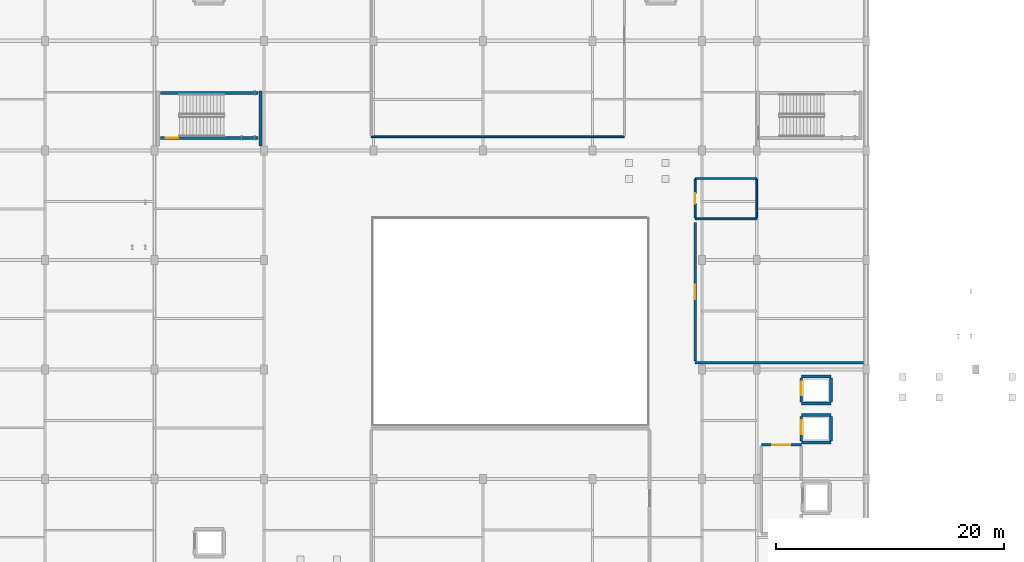
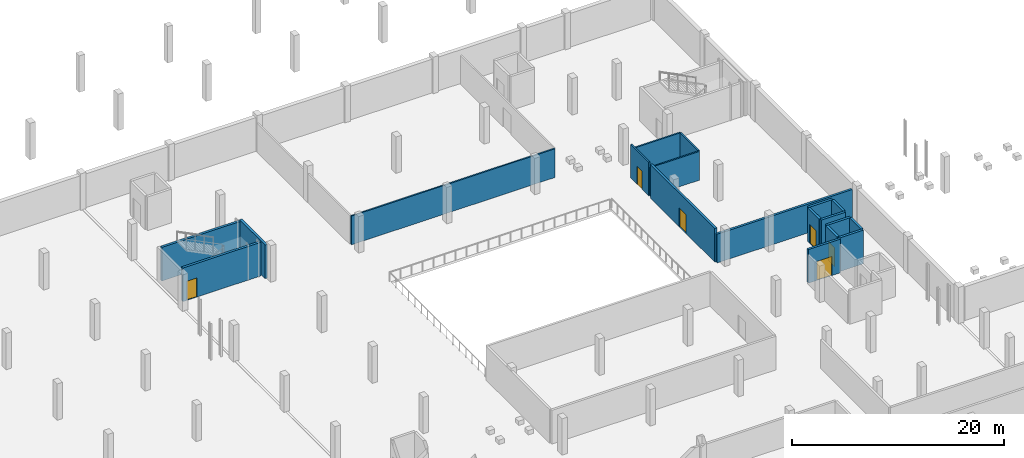
# One storey, part 33 of 47: 19 walls, 6 doors, 6 openings.
"""IFC4 building model written with IfcOpenShell, lengths in metres."""

import ifcopenshell
import ifcopenshell.guid

model = None  # the IFC model being written
_history = None  # IfcOwnerHistory: only IFC2X3 demands one
_inside = {}  # id of a spatial element -> (the spatial element, [elements in it])
_under = {}  # id of a project, library or spatial element -> (it, [spatial elements below it])
_declared = {}  # id of a project -> (the project, [libraries it declares])
_typed = {}  # id of a type object -> (the type object, [elements of that type])
_made_of = {}  # id of a material, layer set ... -> (it, [elements and type objects made of it])


def new_model(schema):
    """Start an empty IFC model of exactly this schema.

    Asked for "IFC4X3", IfcOpenShell would pick the latest addendum, in which some entities
    have other attributes; the version numbers below select the first issue.
    IFC2X3 requires an IfcOwnerHistory on every rooted entity: one is made here for all.
    """
    global model, _history
    if schema == "IFC4X3":
        model = ifcopenshell.file(schema_version=(4, 3, 0, 0))
    else:
        model = ifcopenshell.file(schema=schema)
    _inside.clear()
    _under.clear()
    _declared.clear()
    _typed.clear()
    _made_of.clear()
    _history = None
    if model.schema == "IFC2X3":
        org = make("IfcOrganization", Name="unknown")
        user = make(
            "IfcPersonAndOrganization",
            ThePerson=make("IfcPerson", FamilyName="unknown"),
            TheOrganization=org,
        )
        app = make(
            "IfcApplication",
            ApplicationDeveloper=org,
            Version="unknown",
            ApplicationFullName="unknown",
            ApplicationIdentifier="unknown",
        )
        _history = make(
            "IfcOwnerHistory",
            OwningUser=user,
            OwningApplication=app,
            ChangeAction="ADDED",
            CreationDate=0,
        )
    return model


def make(cls, **values):
    """One entity of the class cls with the attributes given. An attribute that is None is left unset."""
    return model.create_entity(
        cls, **{name: value for name, value in values.items() if value is not None}
    )


def rooted(cls, **values):
    """An entity with a GlobalId (a new one), such as an element, a storey or a relation."""
    return make(cls, GlobalId=ifcopenshell.guid.new(), OwnerHistory=_history, **values)


def si_unit(unit_type, name, prefix=None):
    """IfcSIUnit, for example si_unit("LENGTHUNIT", "METRE", prefix="MILLI")."""
    return make("IfcSIUnit", UnitType=unit_type, Prefix=prefix, Name=name)


def assignment(units):
    """IfcUnitAssignment: the units of a project."""
    return None if units is None else make("IfcUnitAssignment", Units=units)


def point(xyz):
    """IfcCartesianPoint."""
    return None if xyz is None else make("IfcCartesianPoint", Coordinates=xyz)


def direction(xyz):
    """IfcDirection."""
    return None if xyz is None else make("IfcDirection", DirectionRatios=xyz)


def frame(location, z_axis=None, x_axis=None):
    """IfcAxis2Placement3D, a coordinate frame: its origin and axes. An axis left out is left unset."""
    return make(
        "IfcAxis2Placement3D",
        Location=point(location),
        Axis=direction(z_axis),
        RefDirection=direction(x_axis),
    )


def frame_2d(location, x_axis=None):
    """IfcAxis2Placement2D, a coordinate frame in the plane: its origin and x axis."""
    return make(
        "IfcAxis2Placement2D", Location=point(location), RefDirection=direction(x_axis)
    )


def origin():
    """The frame at (0, 0, 0) with its axes left unset."""
    return frame((0.0, 0.0, 0.0))


def place(relative_to, where):
    """IfcLocalPlacement: puts the frame where relative to a parent placement (None: the world)."""
    return make(
        "IfcLocalPlacement", PlacementRelTo=relative_to, RelativePlacement=where
    )


def context(
    kind, dimensions, precision=None, world=None, true_north=None, identifier=None
):
    """IfcGeometricRepresentationContext, for example the 3D "Model" context."""
    return make(
        "IfcGeometricRepresentationContext",
        ContextIdentifier=identifier,
        ContextType=kind,
        CoordinateSpaceDimension=dimensions,
        Precision=precision,
        WorldCoordinateSystem=world,
        TrueNorth=true_north,
    )


def subcontext(parent, identifier, kind, view, scale=None):
    """IfcGeometricRepresentationSubContext, for example "Body" below "Model"."""
    return make(
        "IfcGeometricRepresentationSubContext",
        ContextIdentifier=identifier,
        ContextType=kind,
        ParentContext=parent,
        TargetScale=scale,
        TargetView=view,
    )


def project(units=None, contexts=None):
    """IfcProject with its units and contexts."""
    return rooted(
        "IfcProject",
        Name="project",
        RepresentationContexts=contexts,
        UnitsInContext=assignment(units),
    )


def spatial(cls, under=None, at=None, **own):
    """A site, building, storey or space (cls), placed at a placement, below another one or the project."""
    s = rooted(cls, ObjectPlacement=at, **own)
    if under is not None:
        _under.setdefault(under.id(), (under, []))[1].append(s)
    return s


def profile(cls, at=None, kind="AREA", **sizes):
    """A parametric profile (cls). Its sizes go by their IFC names, for example OverallWidth=200.0."""
    return make(cls, ProfileType=kind, Position=at, **sizes)


def rectangle(**sizes):
    """IfcRectangleProfileDef."""
    return profile("IfcRectangleProfileDef", **sizes)


def extrude(swept, where, along, depth):
    """IfcExtrudedAreaSolid: the profile swept, set in the frame where, extruded along a direction by depth."""
    return make(
        "IfcExtrudedAreaSolid",
        SweptArea=swept,
        Position=where,
        ExtrudedDirection=direction(along),
        Depth=depth,
    )


def shape(context_of_items, identifier, shape_type, items):
    """IfcShapeRepresentation: the items that make up one representation, for example the "Body"."""
    return make(
        "IfcShapeRepresentation",
        ContextOfItems=context_of_items,
        RepresentationIdentifier=identifier,
        RepresentationType=shape_type,
        Items=items,
    )


def material(Name=None, Category=None):
    """IfcMaterial."""
    return make("IfcMaterial", Name=Name, Category=Category)


def layer(
    of_material, thickness, ventilated=None, Name=None, Category=None, Priority=None
):
    """IfcMaterialLayer: one layer of a wall or slab, of a material (None: an air gap)."""
    return make(
        "IfcMaterialLayer",
        Material=of_material,
        LayerThickness=thickness,
        IsVentilated=ventilated,
        Name=Name,
        Category=Category,
        Priority=Priority,
    )


def layer_set(layers, Name=None):
    """IfcMaterialLayerSet."""
    return make("IfcMaterialLayerSet", MaterialLayers=layers, LayerSetName=Name)


def made_of(thing, what):
    """Note that an element or type object is made of a material, layer set ...; save() writes the relation."""
    if what is not None:
        _made_of.setdefault(what.id(), (what, []))[1].append(thing)
    return thing


def type_object(cls, material=None, **own):
    """A type object (cls), such as IfcWallType, which elements share."""
    return made_of(rooted(cls, **own), material)


def element(
    cls,
    number,
    at=None,
    inside=None,
    cuts=None,
    type_object=None,
    material=None,
    context=None,
    identifier="Body",
    shape_type=None,
    held_by="IfcProductDefinitionShape",
    body=None,
    shapes=None,
    **own,
):
    """One element of the class cls, such as IfcWall. Its Tag is "e" and its number.

    at: its placement. inside: the storey or other place that contains it. cuts: it is an
    opening in that element (IfcRelVoidsElement). A single representation is given by context,
    identifier, shape_type and body (its items); several are given by shapes. held_by: the class
    of the entity that holds the representations. save() writes the other relations.
    """
    e = rooted(cls, Tag="e%d" % number, ObjectPlacement=at, **own)
    if body is not None:
        shapes = [shape(context, identifier, shape_type, body)]
    if shapes is not None:
        e.Representation = make(held_by, Representations=shapes)
    if inside is not None:
        _inside.setdefault(inside.id(), (inside, []))[1].append(e)
    if cuts is not None:
        rooted(
            "IfcRelVoidsElement", RelatingBuildingElement=cuts, RelatedOpeningElement=e
        )
    if type_object is not None:
        _typed.setdefault(type_object.id(), (type_object, []))[1].append(e)
    return made_of(e, material)


def fill(opening, filler):
    """IfcRelFillsElement: the door or window that sits in an opening."""
    return rooted(
        "IfcRelFillsElement",
        RelatingOpeningElement=opening,
        RelatedBuildingElement=filler,
    )


def aggregate(whole, parts):
    """IfcRelAggregates: a whole, such as a stair, and the parts it consists of."""
    return rooted("IfcRelAggregates", RelatingObject=whole, RelatedObjects=parts)


def save(model, path):
    """Write the relations noted so far, then the file.

    IfcRelAggregates (storeys below a building ...), IfcRelContainedInSpatialStructure (elements
    in a storey), IfcRelDefinesByType, IfcRelAssociatesMaterial and IfcRelDeclares: one each for
    every whole, place, type object, material and project.
    """
    for whole, parts in _under.values():
        aggregate(whole, parts)
    for where, things in _inside.values():
        rooted(
            "IfcRelContainedInSpatialStructure",
            RelatedElements=things,
            RelatingStructure=where,
        )
    for kind, things in _typed.values():
        rooted("IfcRelDefinesByType", RelatedObjects=things, RelatingType=kind)
    for what, things in _made_of.values():
        rooted("IfcRelAssociatesMaterial", RelatedObjects=things, RelatingMaterial=what)
    for by, libraries in _declared.values():
        rooted("IfcRelDeclares", RelatingContext=by, RelatedDefinitions=libraries)
    model.write(path)


model = new_model("IFC4")

# Units and contexts
model_context = context("Model", 3, precision=1e-05, world=origin(), true_north=direction((0.0, 1.0)))
body_context = subcontext(model_context, "Body", "Model", "MODEL_VIEW")
ifc_project = project(units=[si_unit("LENGTHUNIT", "METRE"), si_unit("AREAUNIT", "SQUARE_METRE"), si_unit("VOLUMEUNIT", "CUBIC_METRE"), si_unit("PLANEANGLEUNIT", "RADIAN"), si_unit("MASSUNIT", "GRAM", prefix="KILO")], contexts=[model_context])

# Site, building, storey
site_placement = place(None, origin())
site = spatial("IfcSite", under=ifc_project, at=site_placement, CompositionType="ELEMENT")
building_placement = place(site_placement, origin())
building = spatial("IfcBuilding", under=site, at=building_placement, Name="Zevrakil Square Congress Hotel", CompositionType="ELEMENT")
storey_placement = place(building_placement, frame((0.0, 0.0, -4.199951171875)))
storey = spatial("IfcBuildingStorey", under=building, at=storey_placement, Name="B1", CompositionType="ELEMENT", Elevation=-4.199951171875)

# Wall, opening, door
ifc_material_1 = material(Name="Concrete C35/45", Category="concrete")
ifc_layer_1 = layer(ifc_material_1, 0.239990234375)
ifc_layer_set_1 = layer_set([ifc_layer_1], Name="Concrete C35/45")
wall_type_1 = type_object("IfcWallType", Name="WAL-COMP-240", PredefinedType="SOLIDWALL", material=ifc_layer_set_1)
wall_1_placement = place(storey_placement, frame((108.39990234375, 58.199951171875, 0.0), z_axis=(0.0, 0.0, 1.0), x_axis=(1.0, 0.0, 0.0)))
wall_1 = element("IfcWall", 1, at=wall_1_placement, inside=storey, type_object=wall_type_1, Name="B1 interior partition PW-B1-0028", PredefinedType="SOLIDWALL", context=body_context, shape_type="SweptSolid", body=[
    extrude(rectangle(XDim=3.5, YDim=0.239990234375, at=frame_2d((1.75, 0.0))), origin(), (0.0, 0.0, 1.0), 3.8798828125),
])
opening_1_placement = place(wall_1_placement, frame((0.949951171875, 0.0, 0.0)))
opening_1 = element("IfcOpeningElement", 2, at=opening_1_placement, cuts=wall_1, Name="Opening FD90-D", PredefinedType="OPENING", context=body_context, shape_type="SweptSolid", body=[
    extrude(rectangle(XDim=1.60009765625, YDim=2.199951171875, at=frame_2d((0.800048828125, 1.10009765625))), frame((0.0, 0.1298828125, 0.0), z_axis=(0.0, -1.0, 0.0), x_axis=(1.0, 0.0, 0.0)), (0.0, 0.0, 1.0), 0.260009765625),
])
ifc_material_2 = material(Name="Steel S355 Double Fire Door", Category="steel")
door_type_1 = type_object("IfcDoorType", Name="DOR-FFLOB-FD90-160", OperationType="NOTDEFINED", PredefinedType="DOOR", material=ifc_material_2)
door_1_placement = place(opening_1_placement, origin())
door_1 = element("IfcDoor", 3, at=door_1_placement, inside=storey, type_object=door_type_1, Name="B1 interior door 7", OperationType="DOUBLE_DOOR_SINGLE_SWING", OverallHeight=2.199951171875, OverallWidth=1.60009765625, PredefinedType="DOOR", context=body_context, shape_type="SweptSolid", body=[
    extrude(rectangle(XDim=1.60009765625, YDim=2.199951171875, at=frame_2d((0.800048828125, 1.10009765625))), frame((0.0, 0.02490234375, 0.0), z_axis=(0.0, -1.0, 0.0), x_axis=(1.0, 0.0, 0.0)), (0.0, 0.0, 1.0), 0.050048828125),
])
fill(opening_1, door_1)

# Wall
wall_2_placement = place(storey_placement, frame((102.60009765625, 65.39990234375, 0.0), z_axis=(0.0, 0.0, 1.0), x_axis=(1.0, 0.0, 0.0)))
element("IfcWall", 4, at=wall_2_placement, inside=storey, type_object=wall_type_1, Name="B1 interior partition PW-B1-0115", PredefinedType="SOLIDWALL", context=body_context, shape_type="SweptSolid", body=[
    extrude(rectangle(XDim=14.75, YDim=0.239990234375, at=frame_2d((7.375, 0.0))), origin(), (0.0, 0.0, 1.0), 3.31494140625),
])

# Wall, opening, door
wall_3_placement = place(storey_placement, frame((102.60009765625, 65.52490234375, 0.0), z_axis=(0.0, 0.0, 1.0), x_axis=(0.0, 1.0, 0.0)))
wall_3 = element("IfcWall", 5, at=wall_3_placement, inside=storey, type_object=wall_type_1, Name="B1 interior partition PW-B1-0116", PredefinedType="SOLIDWALL", context=body_context, shape_type="SweptSolid", body=[
    extrude(rectangle(XDim=12.150146484375, YDim=0.239990234375, at=frame_2d((6.0751953125, 0.0))), origin(), (0.0, 0.0, 1.0), 3.8798828125),
])
opening_2_placement = place(wall_3_placement, frame((5.425048828125, 0.0, 0.0)))
opening_2 = element("IfcOpeningElement", 6, at=opening_2_placement, cuts=wall_3, Name="Opening ID-08", PredefinedType="OPENING", context=body_context, shape_type="SweptSolid", body=[
    extrude(rectangle(XDim=1.300048828125, YDim=2.199951171875, at=frame_2d((0.64990234375, 1.10009765625))), frame((0.0, 0.1298828125, 0.0), z_axis=(0.0, -1.0, 0.0), x_axis=(1.0, 0.0, 0.0)), (0.0, 0.0, 1.0), 0.260009765625),
])
ifc_material_3 = material(Name="Service Corridor Leaf-and-Half Door")
door_type_2 = type_object("IfcDoorType", Name="DOR-BOH-130", OperationType="NOTDEFINED", PredefinedType="DOOR", material=ifc_material_3)
door_2_placement = place(opening_2_placement, origin())
door_2 = element("IfcDoor", 7, at=door_2_placement, inside=storey, type_object=door_type_2, Name="B1 interior door 41", OperationType="SINGLE_SWING_LEFT", OverallHeight=2.199951171875, OverallWidth=1.300048828125, PredefinedType="DOOR", context=body_context, shape_type="SweptSolid", body=[
    extrude(rectangle(XDim=1.300048828125, YDim=2.199951171875, at=frame_2d((0.64990234375, 1.10009765625))), frame((0.0, 0.02490234375, 0.0), z_axis=(0.0, -1.0, 0.0), x_axis=(1.0, 0.0, 0.0)), (0.0, 0.0, 1.0), 0.050048828125),
])
fill(opening_2, door_2)

# Walls
ifc_material_4 = material(Name="Gypsum Acoustic Stud Partition")
ifc_layer_2 = layer(ifc_material_4, 0.159912109375)
ifc_layer_set_2 = layer_set([ifc_layer_2], Name="Gypsum Acoustic Stud Partition")
wall_type_2 = type_object("IfcWallType", Name="WAL-CORR-160", PredefinedType="PARTITIONING", material=ifc_layer_set_2)
for number, where, z_axis, x_axis, name in (
    (8, (102.60009765625, 78.0, 0.0), (0.0, 0.0, 1.0), (1.0, 0.0, 0.0), "B1 interior partition PW-B1-0101"),
    (9, (102.60009765625, 81.550048828125, 0.0), (0.0, 0.0, 1.0), (1.0, 0.0, 0.0), "B1 interior partition PW-B1-0102"),
):
    element("IfcWall", number, at=place(storey_placement, frame(where, z_axis=z_axis, x_axis=x_axis)), inside=storey, type_object=wall_type_2, Name=name, PredefinedType="PARTITIONING", context=body_context, shape_type="SweptSolid", body=[
        extrude(rectangle(XDim=5.39990234375, YDim=0.159912109375, at=frame_2d((2.699951171875, 0.0))), origin(), (0.0, 0.0, 1.0), 3.31494140625),
    ])

# Wall, opening, door
wall_4_placement = place(storey_placement, frame((102.60009765625, 78.0849609375, 0.0), z_axis=(0.0, 0.0, 1.0), x_axis=(0.0, 1.0, 0.0)))
wall_4 = element("IfcWall", 10, at=wall_4_placement, inside=storey, type_object=wall_type_2, Name="B1 interior partition PW-B1-0103", PredefinedType="PARTITIONING", context=body_context, shape_type="SweptSolid", body=[
    extrude(rectangle(XDim=3.380126953125, YDim=0.159912109375, at=frame_2d((1.68994140625, 0.0))), origin(), (0.0, 0.0, 1.0), 3.8798828125),
])
opening_3_placement = place(wall_4_placement, frame((1.22998046875, 0.0, 0.0)))
opening_3 = element("IfcOpeningElement", 11, at=opening_3_placement, cuts=wall_4, Name="Opening ID-07", PredefinedType="OPENING", context=body_context, shape_type="SweptSolid", body=[
    extrude(rectangle(XDim=0.919921875, YDim=2.10009765625, at=frame_2d((0.4599609375, 1.050048828125))), frame((0.0, 0.08984375, 0.0), z_axis=(0.0, -1.0, 0.0), x_axis=(1.0, 0.0, 0.0)), (0.0, 0.0, 1.0), 0.179931640625),
])
ifc_material_5 = material(Name="Accessible Restroom Door")
door_type_3 = type_object("IfcDoorType", Name="DOR-WC-092", OperationType="NOTDEFINED", PredefinedType="DOOR", material=ifc_material_5)
door_3_placement = place(opening_3_placement, origin())
door_3 = element("IfcDoor", 12, at=door_3_placement, inside=storey, type_object=door_type_3, Name="B1 interior door 37", OperationType="SINGLE_SWING_LEFT", OverallHeight=2.10009765625, OverallWidth=0.919921875, PredefinedType="DOOR", context=body_context, shape_type="SweptSolid", body=[
    extrude(rectangle(XDim=0.919921875, YDim=2.10009765625, at=frame_2d((0.4599609375, 1.050048828125))), frame((0.0, 0.02490234375, 0.0), z_axis=(0.0, -1.0, 0.0), x_axis=(1.0, 0.0, 0.0)), (0.0, 0.0, 1.0), 0.050048828125),
])
fill(opening_3, door_3)

# Walls
wall_5_placement = place(storey_placement, frame((108.0, 78.0849609375, 0.0), z_axis=(0.0, 0.0, 1.0), x_axis=(0.0, 1.0, 0.0)))
element("IfcWall", 13, at=wall_5_placement, inside=storey, type_object=wall_type_2, Name="B1 interior partition PW-B1-0104", PredefinedType="PARTITIONING", context=body_context, shape_type="SweptSolid", body=[
    extrude(rectangle(XDim=3.380126953125, YDim=0.159912109375, at=frame_2d((1.68994140625, 0.0))), origin(), (0.0, 0.0, 1.0), 3.31494140625),
])
wall_6_placement = place(storey_placement, frame((74.199951171875, 85.199951171875, 0.0), z_axis=(0.0, 0.0, 1.0), x_axis=(1.0, 0.0, 0.0)))
element("IfcWall", 14, at=wall_6_placement, inside=storey, type_object=wall_type_2, Name="B1 interior partition PW-B1-0112", PredefinedType="PARTITIONING", context=body_context, shape_type="SweptSolid", body=[
    extrude(rectangle(XDim=22.199951171875, YDim=0.159912109375, at=frame_2d((11.10009765625, 0.0))), origin(), (0.0, 0.0, 1.0), 3.31494140625),
])
ifc_material_6 = material(Name="Concrete C40/50", Category="concrete")
ifc_layer_3 = layer(ifc_material_6, 0.260009765625)
ifc_layer_set_3 = layer_set([ifc_layer_3], Name="Concrete C40/50")
wall_type_3 = type_object("IfcWallType", Name="WAL-SHAFT-260", PredefinedType="SHEAR", material=ifc_layer_set_3)
wall_7_placement = place(storey_placement, frame((64.4951171875, 84.3798828125, 0.0), z_axis=(0.0, 0.0, 1.0), x_axis=(0.0, 1.0, 0.0)))
element("IfcWall", 15, at=wall_7_placement, inside=storey, type_object=wall_type_3, Name="B1 ST05 stair shaft E wall", PredefinedType="SHEAR", context=body_context, shape_type="SweptSolid", body=[
    extrude(rectangle(XDim=4.830078125, YDim=0.260009765625, at=frame_2d((2.4150390625, 0.0))), origin(), (0.0, 0.0, 1.0), 3.8798828125),
])

# Wall, opening, door
wall_8_placement = place(storey_placement, frame((55.739990234375, 85.10498046875, 0.0), z_axis=(0.0, 0.0, 1.0), x_axis=(1.0, 0.0, 0.0)))
wall_8 = element("IfcWall", 16, at=wall_8_placement, inside=storey, type_object=wall_type_3, Name="B1 ST05 stair shaft S wall", PredefinedType="SHEAR", context=body_context, shape_type="SweptSolid", body=[
    extrude(rectangle(XDim=8.52001953125, YDim=0.260009765625, at=frame_2d((4.260009765625, 0.0))), origin(), (0.0, 0.0, 1.0), 3.8798828125),
])
opening_4_placement = place(wall_8_placement, frame((0.449951171875, 0.0, 0.0)))
opening_4 = element("IfcOpeningElement", 17, at=opening_4_placement, cuts=wall_8, Name="Opening SD-ST05", PredefinedType="OPENING", context=body_context, shape_type="SweptSolid", body=[
    extrude(rectangle(XDim=1.10009765625, YDim=2.199951171875, at=frame_2d((0.550048828125, 1.10009765625))), frame((0.0, 0.14013671875, 0.0), z_axis=(0.0, -1.0, 0.0), x_axis=(1.0, 0.0, 0.0)), (0.0, 0.0, 1.0), 0.280029296875),
])
ifc_material_7 = material(Name="Steel S355 Fire-Rated Door", Category="steel")
door_type_4 = type_object("IfcDoorType", Name="DOR-STAIR-FD90-110", OperationType="NOTDEFINED", PredefinedType="DOOR", material=ifc_material_7)
door_4_placement = place(opening_4_placement, origin())
door_4 = element("IfcDoor", 18, at=door_4_placement, inside=storey, type_object=door_type_4, Name="B1 ST05 protected stair fire door", OperationType="SINGLE_SWING_LEFT", OverallHeight=2.199951171875, OverallWidth=1.10009765625, PredefinedType="DOOR", context=body_context, shape_type="SweptSolid", body=[
    extrude(rectangle(XDim=1.10009765625, YDim=2.199951171875, at=frame_2d((0.550048828125, 1.10009765625))), frame((0.0, 0.02490234375, 0.0), z_axis=(0.0, -1.0, 0.0), x_axis=(1.0, 0.0, 0.0)), (0.0, 0.0, 1.0), 0.050048828125),
])
fill(opening_4, door_4)

# Walls
wall_9_placement = place(storey_placement, frame((55.739990234375, 89.044921875, 0.0), z_axis=(0.0, 0.0, 1.0), x_axis=(1.0, 0.0, 0.0)))
element("IfcWall", 19, at=wall_9_placement, inside=storey, type_object=wall_type_3, Name="B1 ST05 stair shaft N wall", PredefinedType="SHEAR", context=body_context, shape_type="SweptSolid", body=[
    extrude(rectangle(XDim=8.52001953125, YDim=0.260009765625, at=frame_2d((4.260009765625, 0.0))), origin(), (0.0, 0.0, 1.0), 3.8798828125),
])
for number, where, z_axis, x_axis, name in (
    (20, (111.89990234375, 58.39990234375, 0.0), (0.0, 0.0, 1.0), (1.0, 0.0, 0.0), "B1 CL1 lift shaft wall"),
    (21, (111.89990234375, 60.800048828125, 0.0), (0.0, 0.0, 1.0), (1.0, 0.0, 0.0), "B1 CL1 lift shaft wall"),
):
    element("IfcWall", number, at=place(storey_placement, frame(where, z_axis=z_axis, x_axis=x_axis)), inside=storey, type_object=wall_type_3, Name=name, PredefinedType="SHEAR", context=body_context, shape_type="SweptSolid", body=[
        extrude(rectangle(XDim=2.60009765625, YDim=0.260009765625, at=frame_2d((1.300048828125, 0.0))), origin(), (0.0, 0.0, 1.0), 3.8798828125),
    ])

# Wall, opening, door
wall_10_placement = place(storey_placement, frame((111.89990234375, 58.5400390625, 0.0), z_axis=(0.0, 0.0, 1.0), x_axis=(0.0, 1.0, 0.0)))
wall_10 = element("IfcWall", 22, at=wall_10_placement, inside=storey, type_object=wall_type_3, Name="B1 CL1 lift shaft wall", PredefinedType="SHEAR", context=body_context, shape_type="SweptSolid", body=[
    extrude(rectangle(XDim=2.119873046875, YDim=0.260009765625, at=frame_2d((1.06005859375, 0.0))), origin(), (0.0, 0.0, 1.0), 3.8798828125),
])
opening_5_placement = place(wall_10_placement, frame((0.60009765625, 0.0, 0.0)))
opening_5 = element("IfcOpeningElement", 23, at=opening_5_placement, cuts=wall_10, Name="Opening LD-CL1", PredefinedType="OPENING", context=body_context, shape_type="SweptSolid", body=[
    extrude(rectangle(XDim=1.199951171875, YDim=2.199951171875, at=frame_2d((0.60009765625, 1.10009765625))), frame((0.0, 0.14013671875, 0.0), z_axis=(0.0, -1.0, 0.0), x_axis=(1.0, 0.0, 0.0)), (0.0, 0.0, 1.0), 0.280029296875),
])
ifc_material_8 = material(Name="Stainless Steel Sliding Lift Landing Door", Category="steel")
door_type_5 = type_object("IfcDoorType", Name="DOR-LIFT-LD120", OperationType="NOTDEFINED", PredefinedType="DOOR", material=ifc_material_8)
door_5_placement = place(opening_5_placement, origin())
door_5 = element("IfcDoor", 24, at=door_5_placement, inside=storey, type_object=door_type_5, Name="B1 CL1 sliding lift landing door", OperationType="SLIDING_TO_RIGHT", OverallHeight=2.199951171875, OverallWidth=1.199951171875, PredefinedType="DOOR", context=body_context, shape_type="SweptSolid", body=[
    extrude(rectangle(XDim=1.199951171875, YDim=2.199951171875, at=frame_2d((0.60009765625, 1.10009765625))), frame((0.0, 0.02490234375, 0.0), z_axis=(0.0, -1.0, 0.0), x_axis=(1.0, 0.0, 0.0)), (0.0, 0.0, 1.0), 0.050048828125),
])
fill(opening_5, door_5)

# Walls
wall_11_placement = place(storey_placement, frame((114.5, 58.5400390625, 0.0), z_axis=(0.0, 0.0, 1.0), x_axis=(0.0, 1.0, 0.0)))
element("IfcWall", 25, at=wall_11_placement, inside=storey, type_object=wall_type_3, Name="B1 CL1 lift shaft wall", PredefinedType="SHEAR", context=body_context, shape_type="SweptSolid", body=[
    extrude(rectangle(XDim=2.119873046875, YDim=0.260009765625, at=frame_2d((1.06005859375, 0.0))), origin(), (0.0, 0.0, 1.0), 3.8798828125),
])
for number, where, z_axis, x_axis, name in (
    (26, (111.89990234375, 61.800048828125, 0.0), (0.0, 0.0, 1.0), (1.0, 0.0, 0.0), "B1 CL2 lift shaft wall"),
    (27, (111.89990234375, 64.199951171875, 0.0), (0.0, 0.0, 1.0), (1.0, 0.0, 0.0), "B1 CL2 lift shaft wall"),
):
    element("IfcWall", number, at=place(storey_placement, frame(where, z_axis=z_axis, x_axis=x_axis)), inside=storey, type_object=wall_type_3, Name=name, PredefinedType="SHEAR", context=body_context, shape_type="SweptSolid", body=[
        extrude(rectangle(XDim=2.60009765625, YDim=0.260009765625, at=frame_2d((1.300048828125, 0.0))), origin(), (0.0, 0.0, 1.0), 3.8798828125),
    ])

# Wall, opening, door
wall_12_placement = place(storey_placement, frame((111.89990234375, 61.93994140625, 0.0), z_axis=(0.0, 0.0, 1.0), x_axis=(0.0, 1.0, 0.0)))
wall_12 = element("IfcWall", 28, at=wall_12_placement, inside=storey, type_object=wall_type_3, Name="B1 CL2 lift shaft wall", PredefinedType="SHEAR", context=body_context, shape_type="SweptSolid", body=[
    extrude(rectangle(XDim=2.1201171875, YDim=0.260009765625, at=frame_2d((1.06005859375, 0.0))), origin(), (0.0, 0.0, 1.0), 3.8798828125),
])
opening_6_placement = place(wall_12_placement, frame((0.60009765625, 0.0, 0.0)))
opening_6 = element("IfcOpeningElement", 29, at=opening_6_placement, cuts=wall_12, Name="Opening LD-CL2", PredefinedType="OPENING", context=body_context, shape_type="SweptSolid", body=[
    extrude(rectangle(XDim=1.199951171875, YDim=2.199951171875, at=frame_2d((0.60009765625, 1.10009765625))), frame((0.0, 0.14013671875, 0.0), z_axis=(0.0, -1.0, 0.0), x_axis=(1.0, 0.0, 0.0)), (0.0, 0.0, 1.0), 0.280029296875),
])
door_6_placement = place(opening_6_placement, origin())
door_6 = element("IfcDoor", 30, at=door_6_placement, inside=storey, type_object=door_type_5, Name="B1 CL2 sliding lift landing door", OperationType="SLIDING_TO_LEFT", OverallHeight=2.199951171875, OverallWidth=1.199951171875, PredefinedType="DOOR", context=body_context, shape_type="SweptSolid", body=[
    extrude(rectangle(XDim=1.199951171875, YDim=2.199951171875, at=frame_2d((0.60009765625, 1.10009765625))), frame((0.0, 0.02490234375, 0.0), z_axis=(0.0, -1.0, 0.0), x_axis=(1.0, 0.0, 0.0)), (0.0, 0.0, 1.0), 0.050048828125),
])
fill(opening_6, door_6)

# Wall
wall_13_placement = place(storey_placement, frame((114.5, 61.93994140625, 0.0), z_axis=(0.0, 0.0, 1.0), x_axis=(0.0, 1.0, 0.0)))
element("IfcWall", 31, at=wall_13_placement, inside=storey, type_object=wall_type_3, Name="B1 CL2 lift shaft wall", PredefinedType="SHEAR", context=body_context, shape_type="SweptSolid", body=[
    extrude(rectangle(XDim=2.1201171875, YDim=0.260009765625, at=frame_2d((1.06005859375, 0.0))), origin(), (0.0, 0.0, 1.0), 3.8798828125),
])

save(model, "model.ifc")
